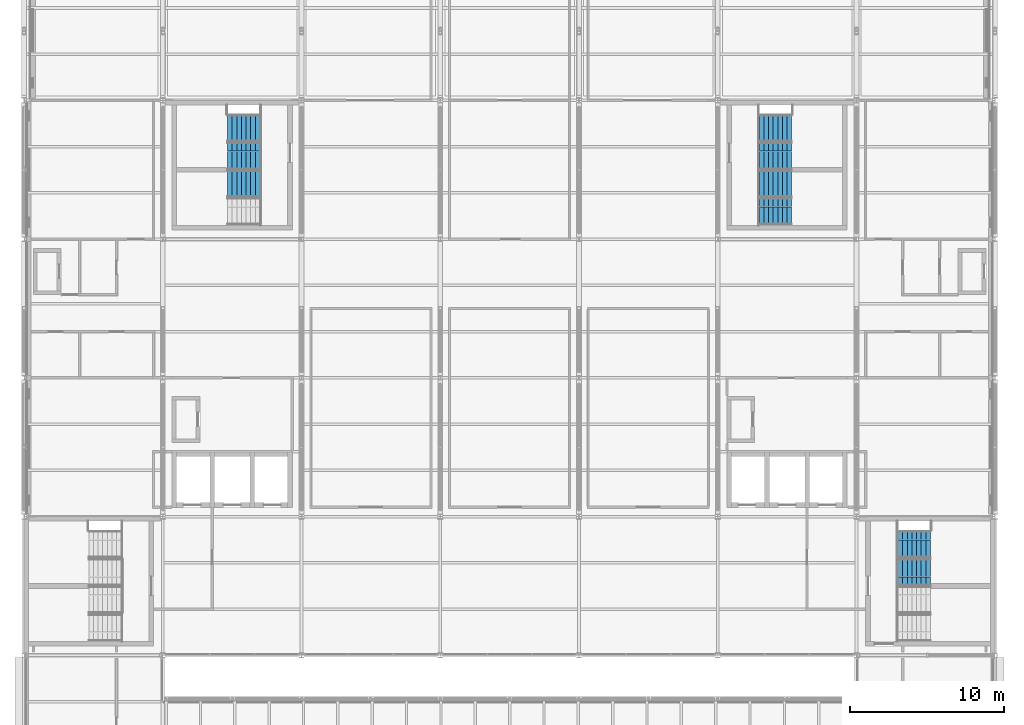
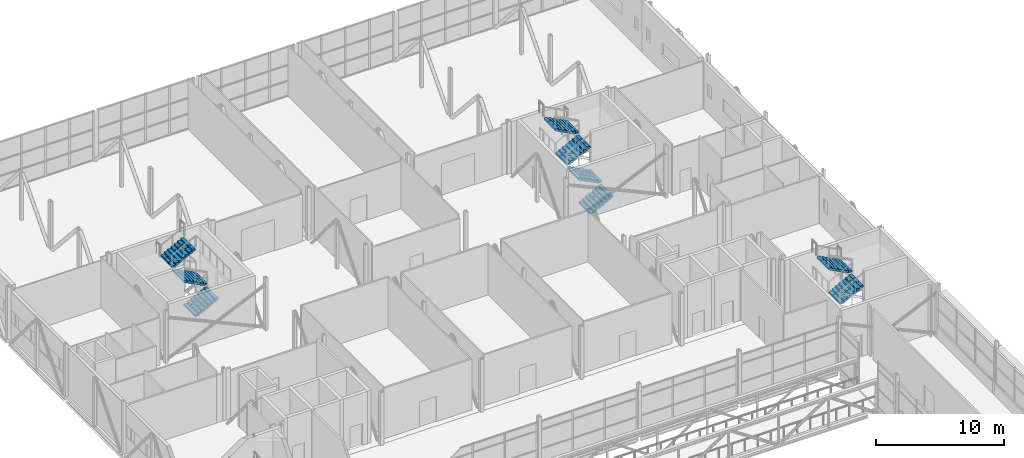
# One storey, part 84 of 94: 9 stair flights, 3 elements without a shape of their own.
"""IFC4 building model written with IfcOpenShell, lengths in metres."""

from ifc_helpers import new_model, si_unit, direction, frame, origin, place, context, subcontext, project, spatial, polyline, outline, extrude, material, type_object, element, aggregate, save


model = new_model("IFC4")

# Units and contexts
model_context = context("Model", 3, precision=1e-05, world=origin(), true_north=direction((0.0, 1.0)))
body_context = subcontext(model_context, "Body", "Model", "MODEL_VIEW")
ifc_project = project(units=[si_unit("LENGTHUNIT", "METRE"), si_unit("AREAUNIT", "SQUARE_METRE"), si_unit("VOLUMEUNIT", "CUBIC_METRE"), si_unit("PLANEANGLEUNIT", "RADIAN"), si_unit("MASSUNIT", "GRAM", prefix="KILO")], contexts=[model_context])

# Site, building, storey
site_placement = place(None, origin())
site = spatial("IfcSite", under=ifc_project, at=site_placement, CompositionType="ELEMENT")
building_placement = place(site_placement, origin())
building = spatial("IfcBuilding", under=site, at=building_placement, Name="Shorebreak Coast Museum", CompositionType="ELEMENT")
storey_placement = place(building_placement, frame((0.0, 0.0, 31.0)))
storey = spatial("IfcBuildingStorey", under=building, at=storey_placement, Name="L05", CompositionType="ELEMENT", Elevation=31.0)

# Stair, stair flights
ifc_material_1 = material(Name="Concrete N40 (40 MPa)", Category="concrete")
stair_type = type_object("IfcStairType", Name="Stair run 5 m", PredefinedType="DOUBLE_RETURN_STAIR", material=ifc_material_1)
stair_1_placement = place(storey_placement, origin())
stair_1 = element("IfcStair", 1, at=stair_1_placement, inside=storey, type_object=stair_type, Name="Exit stair ST04-L05", PredefinedType="DOUBLE_RETURN_STAIR")
ifc_material_2 = material(Name="Concrete N40 (40 MPa)", Category="concrete")
stair_flight_type = type_object("IfcStairFlightType", Name="Stair flight 8 risers 156.25", PredefinedType="STRAIGHT", material=ifc_material_2)
stair_flight_1_placement = place(storey_placement, frame((110.699951171875, 86.39990234375, 2.5), z_axis=(0.0, 0.0, 1.0), x_axis=(1.0, 0.0, 0.0)))
stair_flight_1 = element("IfcStairFlight", 2, at=stair_flight_1_placement, type_object=stair_flight_type, Name="ST04-L05 flight 3", NumberOfRisers=8, NumberOfTreads=7, PredefinedType="STRAIGHT", RiserHeight=0.15625, TreadLength=0.3, context=body_context, shape_type="SweptSolid", body=[
    extrude(outline(polyline([(0.0, 0.0), (0.0, 0.15625), (0.300048828125, 0.15625), (0.300048828125, 0.3125), (0.60009765625, 0.3125), (0.60009765625, 0.46875), (0.89990234375, 0.46875), (0.89990234375, 0.625), (1.199951171875, 0.625), (1.199951171875, 0.78125), (1.5, 0.78125), (1.5, 0.9375), (1.800048828125, 0.9375), (1.800048828125, 1.09375), (2.10009765625, 1.09375), (2.10009765625, 1.25), (2.10009765625, 0.9248046875), (0.324462890625, 0.0), (0.0, 0.0)])), frame((0.0, 0.89990234375, 0.0), z_axis=(0.0, -1.0, 0.0), x_axis=(1.0, 0.0, 0.0)), (0.0, 0.0, 1.0), 0.59326171875),
    extrude(outline(polyline([(0.0, 0.0), (0.0, 0.15625), (0.300048828125, 0.15625), (0.300048828125, 0.3125), (0.60009765625, 0.3125), (0.60009765625, 0.46875), (0.89990234375, 0.46875), (0.89990234375, 0.625), (1.199951171875, 0.625), (1.199951171875, 0.78125), (1.5, 0.78125), (1.5, 0.9375), (1.800048828125, 0.9375), (1.800048828125, 1.09375), (2.10009765625, 1.09375), (2.10009765625, 1.25), (2.10009765625, 0.9248046875), (0.324462890625, 0.0), (0.0, 0.0)])), frame((0.0, 0.296630859375, 0.0), z_axis=(0.0, -1.0, 0.0), x_axis=(1.0, 0.0, 0.0)), (0.0, 0.0, 1.0), 0.59326171875),
    extrude(outline(polyline([(0.0, 0.0), (0.0, 0.15625), (0.300048828125, 0.15625), (0.300048828125, 0.3125), (0.60009765625, 0.3125), (0.60009765625, 0.46875), (0.89990234375, 0.46875), (0.89990234375, 0.625), (1.199951171875, 0.625), (1.199951171875, 0.78125), (1.5, 0.78125), (1.5, 0.9375), (1.800048828125, 0.9375), (1.800048828125, 1.09375), (2.10009765625, 1.09375), (2.10009765625, 1.25), (2.10009765625, 0.9248046875), (0.324462890625, 0.0), (0.0, 0.0)])), frame((0.0, -0.306640625, 0.0), z_axis=(0.0, -1.0, 0.0), x_axis=(1.0, 0.0, 0.0)), (0.0, 0.0, 1.0), 0.59326171875),
])
stair_flight_2_placement = place(storey_placement, frame((112.800048828125, 88.199951171875, 3.75), z_axis=(0.0, 0.0, 1.0), x_axis=(-1.0, 0.0, 0.0)))
stair_flight_2 = element("IfcStairFlight", 3, at=stair_flight_2_placement, type_object=stair_flight_type, Name="ST04-L05 flight 4", NumberOfRisers=8, NumberOfTreads=7, PredefinedType="STRAIGHT", RiserHeight=0.15625, TreadLength=0.3, context=body_context, shape_type="SweptSolid", body=[
    extrude(outline(polyline([(0.0, 0.0), (0.0, 0.15625), (0.300048828125, 0.15625), (0.300048828125, 0.3125), (0.60009765625, 0.3125), (0.60009765625, 0.46875), (0.89990234375, 0.46875), (0.89990234375, 0.625), (1.199951171875, 0.625), (1.199951171875, 0.78125), (1.5, 0.78125), (1.5, 0.9375), (1.800048828125, 0.9375), (1.800048828125, 1.09375), (2.10009765625, 1.09375), (2.10009765625, 1.25), (2.10009765625, 0.9248046875), (0.324462890625, 0.0), (0.0, 0.0)])), frame((0.0, 0.89990234375, 0.0), z_axis=(0.0, -1.0, 0.0), x_axis=(1.0, 0.0, 0.0)), (0.0, 0.0, 1.0), 0.59326171875),
    extrude(outline(polyline([(0.0, 0.0), (0.0, 0.15625), (0.300048828125, 0.15625), (0.300048828125, 0.3125), (0.60009765625, 0.3125), (0.60009765625, 0.46875), (0.89990234375, 0.46875), (0.89990234375, 0.625), (1.199951171875, 0.625), (1.199951171875, 0.78125), (1.5, 0.78125), (1.5, 0.9375), (1.800048828125, 0.9375), (1.800048828125, 1.09375), (2.10009765625, 1.09375), (2.10009765625, 1.25), (2.10009765625, 0.9248046875), (0.324462890625, 0.0), (0.0, 0.0)])), frame((0.0, 0.296630859375, 0.0), z_axis=(0.0, -1.0, 0.0), x_axis=(1.0, 0.0, 0.0)), (0.0, 0.0, 1.0), 0.59326171875),
    extrude(outline(polyline([(0.0, 0.0), (0.0, 0.15625), (0.300048828125, 0.15625), (0.300048828125, 0.3125), (0.60009765625, 0.3125), (0.60009765625, 0.46875), (0.89990234375, 0.46875), (0.89990234375, 0.625), (1.199951171875, 0.625), (1.199951171875, 0.78125), (1.5, 0.78125), (1.5, 0.9375), (1.800048828125, 0.9375), (1.800048828125, 1.09375), (2.10009765625, 1.09375), (2.10009765625, 1.25), (2.10009765625, 0.9248046875), (0.324462890625, 0.0), (0.0, 0.0)])), frame((0.0, -0.306640625, 0.0), z_axis=(0.0, -1.0, 0.0), x_axis=(1.0, 0.0, 0.0)), (0.0, 0.0, 1.0), 0.59326171875),
])
aggregate(stair_1, [stair_flight_1, stair_flight_2])

stair_2_placement = place(storey_placement, origin())
stair_2 = element("IfcStair", 4, at=stair_2_placement, inside=storey, type_object=stair_type, Name="Exit stair ST09-L05", PredefinedType="DOUBLE_RETURN_STAIR")
stair_flight_3_placement = place(storey_placement, frame((67.199951171875, 111.60009765625, 1.25), z_axis=(0.0, 0.0, 1.0), x_axis=(1.0, 0.0, 0.0)))
stair_flight_3 = element("IfcStairFlight", 5, at=stair_flight_3_placement, type_object=stair_flight_type, Name="ST09-L05 flight 2", NumberOfRisers=8, NumberOfTreads=7, PredefinedType="STRAIGHT", RiserHeight=0.15625, TreadLength=0.3, context=body_context, shape_type="SweptSolid", body=[
    extrude(outline(polyline([(0.0, 0.0), (0.0, 0.15625), (0.300048828125, 0.15625), (0.300048828125, 0.3125), (0.60009765625, 0.3125), (0.60009765625, 0.46875), (0.89990234375, 0.46875), (0.89990234375, 0.625), (1.199951171875, 0.625), (1.199951171875, 0.78125), (1.5, 0.78125), (1.5, 0.9375), (1.800048828125, 0.9375), (1.800048828125, 1.09375), (2.10009765625, 1.09375), (2.10009765625, 1.25), (2.10009765625, 0.9248046875), (0.324462890625, 0.0), (0.0, 0.0)])), frame((0.0, 0.89990234375, 0.0), z_axis=(0.0, -1.0, 0.0), x_axis=(1.0, 0.0, 0.0)), (0.0, 0.0, 1.0), 0.59326171875),
    extrude(outline(polyline([(0.0, 0.0), (0.0, 0.15625), (0.300048828125, 0.15625), (0.300048828125, 0.3125), (0.60009765625, 0.3125), (0.60009765625, 0.46875), (0.89990234375, 0.46875), (0.89990234375, 0.625), (1.199951171875, 0.625), (1.199951171875, 0.78125), (1.5, 0.78125), (1.5, 0.9375), (1.800048828125, 0.9375), (1.800048828125, 1.09375), (2.10009765625, 1.09375), (2.10009765625, 1.25), (2.10009765625, 0.9248046875), (0.324462890625, 0.0), (0.0, 0.0)])), frame((0.0, 0.296630859375, 0.0), z_axis=(0.0, -1.0, 0.0), x_axis=(1.0, 0.0, 0.0)), (0.0, 0.0, 1.0), 0.59326171875),
    extrude(outline(polyline([(0.0, 0.0), (0.0, 0.15625), (0.300048828125, 0.15625), (0.300048828125, 0.3125), (0.60009765625, 0.3125), (0.60009765625, 0.46875), (0.89990234375, 0.46875), (0.89990234375, 0.625), (1.199951171875, 0.625), (1.199951171875, 0.78125), (1.5, 0.78125), (1.5, 0.9375), (1.800048828125, 0.9375), (1.800048828125, 1.09375), (2.10009765625, 1.09375), (2.10009765625, 1.25), (2.10009765625, 0.9248046875), (0.324462890625, 0.0), (0.0, 0.0)])), frame((0.0, -0.306640625, 0.0), z_axis=(0.0, -1.0, 0.0), x_axis=(1.0, 0.0, 0.0)), (0.0, 0.0, 1.0), 0.59326171875),
])
stair_flight_4_placement = place(storey_placement, frame((69.300048828125, 113.39990234375, 2.5), z_axis=(0.0, 0.0, 1.0), x_axis=(-1.0, 0.0, 0.0)))
stair_flight_4 = element("IfcStairFlight", 6, at=stair_flight_4_placement, type_object=stair_flight_type, Name="ST09-L05 flight 3", NumberOfRisers=8, NumberOfTreads=7, PredefinedType="STRAIGHT", RiserHeight=0.15625, TreadLength=0.3, context=body_context, shape_type="SweptSolid", body=[
    extrude(outline(polyline([(0.0, 0.0), (0.0, 0.15625), (0.300048828125, 0.15625), (0.300048828125, 0.3125), (0.60009765625, 0.3125), (0.60009765625, 0.46875), (0.89990234375, 0.46875), (0.89990234375, 0.625), (1.199951171875, 0.625), (1.199951171875, 0.78125), (1.5, 0.78125), (1.5, 0.9375), (1.800048828125, 0.9375), (1.800048828125, 1.09375), (2.10009765625, 1.09375), (2.10009765625, 1.25), (2.10009765625, 0.9248046875), (0.324462890625, 0.0), (0.0, 0.0)])), frame((0.0, 0.89990234375, 0.0), z_axis=(0.0, -1.0, 0.0), x_axis=(1.0, 0.0, 0.0)), (0.0, 0.0, 1.0), 0.59326171875),
    extrude(outline(polyline([(0.0, 0.0), (0.0, 0.15625), (0.300048828125, 0.15625), (0.300048828125, 0.3125), (0.60009765625, 0.3125), (0.60009765625, 0.46875), (0.89990234375, 0.46875), (0.89990234375, 0.625), (1.199951171875, 0.625), (1.199951171875, 0.78125), (1.5, 0.78125), (1.5, 0.9375), (1.800048828125, 0.9375), (1.800048828125, 1.09375), (2.10009765625, 1.09375), (2.10009765625, 1.25), (2.10009765625, 0.9248046875), (0.324462890625, 0.0), (0.0, 0.0)])), frame((0.0, 0.296630859375, 0.0), z_axis=(0.0, -1.0, 0.0), x_axis=(1.0, 0.0, 0.0)), (0.0, 0.0, 1.0), 0.59326171875),
    extrude(outline(polyline([(0.0, 0.0), (0.0, 0.15625), (0.300048828125, 0.15625), (0.300048828125, 0.3125), (0.60009765625, 0.3125), (0.60009765625, 0.46875), (0.89990234375, 0.46875), (0.89990234375, 0.625), (1.199951171875, 0.625), (1.199951171875, 0.78125), (1.5, 0.78125), (1.5, 0.9375), (1.800048828125, 0.9375), (1.800048828125, 1.09375), (2.10009765625, 1.09375), (2.10009765625, 1.25), (2.10009765625, 0.9248046875), (0.324462890625, 0.0), (0.0, 0.0)])), frame((0.0, -0.306640625, 0.0), z_axis=(0.0, -1.0, 0.0), x_axis=(1.0, 0.0, 0.0)), (0.0, 0.0, 1.0), 0.59326171875),
])
stair_flight_5_placement = place(storey_placement, frame((67.199951171875, 115.199951171875, 3.75), z_axis=(0.0, 0.0, 1.0), x_axis=(1.0, 0.0, 0.0)))
stair_flight_5 = element("IfcStairFlight", 7, at=stair_flight_5_placement, type_object=stair_flight_type, Name="ST09-L05 flight 4", NumberOfRisers=8, NumberOfTreads=7, PredefinedType="STRAIGHT", RiserHeight=0.15625, TreadLength=0.3, context=body_context, shape_type="SweptSolid", body=[
    extrude(outline(polyline([(0.0, 0.0), (0.0, 0.15625), (0.300048828125, 0.15625), (0.300048828125, 0.3125), (0.60009765625, 0.3125), (0.60009765625, 0.46875), (0.89990234375, 0.46875), (0.89990234375, 0.625), (1.199951171875, 0.625), (1.199951171875, 0.78125), (1.5, 0.78125), (1.5, 0.9375), (1.800048828125, 0.9375), (1.800048828125, 1.09375), (2.10009765625, 1.09375), (2.10009765625, 1.25), (2.10009765625, 0.9248046875), (0.324462890625, 0.0), (0.0, 0.0)])), frame((0.0, 0.89990234375, 0.0), z_axis=(0.0, -1.0, 0.0), x_axis=(1.0, 0.0, 0.0)), (0.0, 0.0, 1.0), 0.59326171875),
    extrude(outline(polyline([(0.0, 0.0), (0.0, 0.15625), (0.300048828125, 0.15625), (0.300048828125, 0.3125), (0.60009765625, 0.3125), (0.60009765625, 0.46875), (0.89990234375, 0.46875), (0.89990234375, 0.625), (1.199951171875, 0.625), (1.199951171875, 0.78125), (1.5, 0.78125), (1.5, 0.9375), (1.800048828125, 0.9375), (1.800048828125, 1.09375), (2.10009765625, 1.09375), (2.10009765625, 1.25), (2.10009765625, 0.9248046875), (0.324462890625, 0.0), (0.0, 0.0)])), frame((0.0, 0.296630859375, 0.0), z_axis=(0.0, -1.0, 0.0), x_axis=(1.0, 0.0, 0.0)), (0.0, 0.0, 1.0), 0.59326171875),
    extrude(outline(polyline([(0.0, 0.0), (0.0, 0.15625), (0.300048828125, 0.15625), (0.300048828125, 0.3125), (0.60009765625, 0.3125), (0.60009765625, 0.46875), (0.89990234375, 0.46875), (0.89990234375, 0.625), (1.199951171875, 0.625), (1.199951171875, 0.78125), (1.5, 0.78125), (1.5, 0.9375), (1.800048828125, 0.9375), (1.800048828125, 1.09375), (2.10009765625, 1.09375), (2.10009765625, 1.25), (2.10009765625, 0.9248046875), (0.324462890625, 0.0), (0.0, 0.0)])), frame((0.0, -0.306640625, 0.0), z_axis=(0.0, -1.0, 0.0), x_axis=(1.0, 0.0, 0.0)), (0.0, 0.0, 1.0), 0.59326171875),
])
aggregate(stair_2, [stair_flight_3, stair_flight_4, stair_flight_5])

stair_3_placement = place(storey_placement, origin())
stair_3 = element("IfcStair", 8, at=stair_3_placement, inside=storey, type_object=stair_type, Name="Exit stair ST10-L05", PredefinedType="DOUBLE_RETURN_STAIR")
stair_flight_6_placement = place(storey_placement, frame((101.699951171875, 109.800048828125, 0.0), z_axis=(0.0, 0.0, 1.0), x_axis=(1.0, 0.0, 0.0)))
stair_flight_6 = element("IfcStairFlight", 9, at=stair_flight_6_placement, type_object=stair_flight_type, Name="ST10-L05 flight 1", NumberOfRisers=8, NumberOfTreads=7, PredefinedType="STRAIGHT", RiserHeight=0.15625, TreadLength=0.3, context=body_context, shape_type="SweptSolid", body=[
    extrude(outline(polyline([(0.0, 0.0), (0.0, 0.15625), (0.300048828125, 0.15625), (0.300048828125, 0.3125), (0.60009765625, 0.3125), (0.60009765625, 0.46875), (0.89990234375, 0.46875), (0.89990234375, 0.625), (1.199951171875, 0.625), (1.199951171875, 0.78125), (1.5, 0.78125), (1.5, 0.9375), (1.800048828125, 0.9375), (1.800048828125, 1.09375), (2.10009765625, 1.09375), (2.10009765625, 1.25), (2.10009765625, 0.9248046875), (0.324462890625, 0.0), (0.0, 0.0)])), frame((0.0, 0.89990234375, 0.0), z_axis=(0.0, -1.0, 0.0), x_axis=(1.0, 0.0, 0.0)), (0.0, 0.0, 1.0), 0.59326171875),
    extrude(outline(polyline([(0.0, 0.0), (0.0, 0.15625), (0.300048828125, 0.15625), (0.300048828125, 0.3125), (0.60009765625, 0.3125), (0.60009765625, 0.46875), (0.89990234375, 0.46875), (0.89990234375, 0.625), (1.199951171875, 0.625), (1.199951171875, 0.78125), (1.5, 0.78125), (1.5, 0.9375), (1.800048828125, 0.9375), (1.800048828125, 1.09375), (2.10009765625, 1.09375), (2.10009765625, 1.25), (2.10009765625, 0.9248046875), (0.324462890625, 0.0), (0.0, 0.0)])), frame((0.0, 0.296630859375, 0.0), z_axis=(0.0, -1.0, 0.0), x_axis=(1.0, 0.0, 0.0)), (0.0, 0.0, 1.0), 0.59326171875),
    extrude(outline(polyline([(0.0, 0.0), (0.0, 0.15625), (0.300048828125, 0.15625), (0.300048828125, 0.3125), (0.60009765625, 0.3125), (0.60009765625, 0.46875), (0.89990234375, 0.46875), (0.89990234375, 0.625), (1.199951171875, 0.625), (1.199951171875, 0.78125), (1.5, 0.78125), (1.5, 0.9375), (1.800048828125, 0.9375), (1.800048828125, 1.09375), (2.10009765625, 1.09375), (2.10009765625, 1.25), (2.10009765625, 0.9248046875), (0.324462890625, 0.0), (0.0, 0.0)])), frame((0.0, -0.306640625, 0.0), z_axis=(0.0, -1.0, 0.0), x_axis=(1.0, 0.0, 0.0)), (0.0, 0.0, 1.0), 0.59326171875),
])
stair_flight_7_placement = place(storey_placement, frame((103.800048828125, 111.60009765625, 1.25), z_axis=(0.0, 0.0, 1.0), x_axis=(-1.0, 0.0, 0.0)))
stair_flight_7 = element("IfcStairFlight", 10, at=stair_flight_7_placement, type_object=stair_flight_type, Name="ST10-L05 flight 2", NumberOfRisers=8, NumberOfTreads=7, PredefinedType="STRAIGHT", RiserHeight=0.15625, TreadLength=0.3, context=body_context, shape_type="SweptSolid", body=[
    extrude(outline(polyline([(0.0, 0.0), (0.0, 0.15625), (0.300048828125, 0.15625), (0.300048828125, 0.3125), (0.60009765625, 0.3125), (0.60009765625, 0.46875), (0.89990234375, 0.46875), (0.89990234375, 0.625), (1.199951171875, 0.625), (1.199951171875, 0.78125), (1.5, 0.78125), (1.5, 0.9375), (1.800048828125, 0.9375), (1.800048828125, 1.09375), (2.10009765625, 1.09375), (2.10009765625, 1.25), (2.10009765625, 0.9248046875), (0.324462890625, 0.0), (0.0, 0.0)])), frame((0.0, 0.89990234375, 0.0), z_axis=(0.0, -1.0, 0.0), x_axis=(1.0, 0.0, 0.0)), (0.0, 0.0, 1.0), 0.59326171875),
    extrude(outline(polyline([(0.0, 0.0), (0.0, 0.15625), (0.300048828125, 0.15625), (0.300048828125, 0.3125), (0.60009765625, 0.3125), (0.60009765625, 0.46875), (0.89990234375, 0.46875), (0.89990234375, 0.625), (1.199951171875, 0.625), (1.199951171875, 0.78125), (1.5, 0.78125), (1.5, 0.9375), (1.800048828125, 0.9375), (1.800048828125, 1.09375), (2.10009765625, 1.09375), (2.10009765625, 1.25), (2.10009765625, 0.9248046875), (0.324462890625, 0.0), (0.0, 0.0)])), frame((0.0, 0.296630859375, 0.0), z_axis=(0.0, -1.0, 0.0), x_axis=(1.0, 0.0, 0.0)), (0.0, 0.0, 1.0), 0.59326171875),
    extrude(outline(polyline([(0.0, 0.0), (0.0, 0.15625), (0.300048828125, 0.15625), (0.300048828125, 0.3125), (0.60009765625, 0.3125), (0.60009765625, 0.46875), (0.89990234375, 0.46875), (0.89990234375, 0.625), (1.199951171875, 0.625), (1.199951171875, 0.78125), (1.5, 0.78125), (1.5, 0.9375), (1.800048828125, 0.9375), (1.800048828125, 1.09375), (2.10009765625, 1.09375), (2.10009765625, 1.25), (2.10009765625, 0.9248046875), (0.324462890625, 0.0), (0.0, 0.0)])), frame((0.0, -0.306640625, 0.0), z_axis=(0.0, -1.0, 0.0), x_axis=(1.0, 0.0, 0.0)), (0.0, 0.0, 1.0), 0.59326171875),
])
stair_flight_8_placement = place(storey_placement, frame((101.699951171875, 113.39990234375, 2.5), z_axis=(0.0, 0.0, 1.0), x_axis=(1.0, 0.0, 0.0)))
stair_flight_8 = element("IfcStairFlight", 11, at=stair_flight_8_placement, type_object=stair_flight_type, Name="ST10-L05 flight 3", NumberOfRisers=8, NumberOfTreads=7, PredefinedType="STRAIGHT", RiserHeight=0.15625, TreadLength=0.3, context=body_context, shape_type="SweptSolid", body=[
    extrude(outline(polyline([(0.0, 0.0), (0.0, 0.15625), (0.300048828125, 0.15625), (0.300048828125, 0.3125), (0.60009765625, 0.3125), (0.60009765625, 0.46875), (0.89990234375, 0.46875), (0.89990234375, 0.625), (1.199951171875, 0.625), (1.199951171875, 0.78125), (1.5, 0.78125), (1.5, 0.9375), (1.800048828125, 0.9375), (1.800048828125, 1.09375), (2.10009765625, 1.09375), (2.10009765625, 1.25), (2.10009765625, 0.9248046875), (0.324462890625, 0.0), (0.0, 0.0)])), frame((0.0, 0.89990234375, 0.0), z_axis=(0.0, -1.0, 0.0), x_axis=(1.0, 0.0, 0.0)), (0.0, 0.0, 1.0), 0.59326171875),
    extrude(outline(polyline([(0.0, 0.0), (0.0, 0.15625), (0.300048828125, 0.15625), (0.300048828125, 0.3125), (0.60009765625, 0.3125), (0.60009765625, 0.46875), (0.89990234375, 0.46875), (0.89990234375, 0.625), (1.199951171875, 0.625), (1.199951171875, 0.78125), (1.5, 0.78125), (1.5, 0.9375), (1.800048828125, 0.9375), (1.800048828125, 1.09375), (2.10009765625, 1.09375), (2.10009765625, 1.25), (2.10009765625, 0.9248046875), (0.324462890625, 0.0), (0.0, 0.0)])), frame((0.0, 0.296630859375, 0.0), z_axis=(0.0, -1.0, 0.0), x_axis=(1.0, 0.0, 0.0)), (0.0, 0.0, 1.0), 0.59326171875),
    extrude(outline(polyline([(0.0, 0.0), (0.0, 0.15625), (0.300048828125, 0.15625), (0.300048828125, 0.3125), (0.60009765625, 0.3125), (0.60009765625, 0.46875), (0.89990234375, 0.46875), (0.89990234375, 0.625), (1.199951171875, 0.625), (1.199951171875, 0.78125), (1.5, 0.78125), (1.5, 0.9375), (1.800048828125, 0.9375), (1.800048828125, 1.09375), (2.10009765625, 1.09375), (2.10009765625, 1.25), (2.10009765625, 0.9248046875), (0.324462890625, 0.0), (0.0, 0.0)])), frame((0.0, -0.306640625, 0.0), z_axis=(0.0, -1.0, 0.0), x_axis=(1.0, 0.0, 0.0)), (0.0, 0.0, 1.0), 0.59326171875),
])
stair_flight_9_placement = place(storey_placement, frame((103.800048828125, 115.199951171875, 3.75), z_axis=(0.0, 0.0, 1.0), x_axis=(-1.0, 0.0, 0.0)))
stair_flight_9 = element("IfcStairFlight", 12, at=stair_flight_9_placement, type_object=stair_flight_type, Name="ST10-L05 flight 4", NumberOfRisers=8, NumberOfTreads=7, PredefinedType="STRAIGHT", RiserHeight=0.15625, TreadLength=0.3, context=body_context, shape_type="SweptSolid", body=[
    extrude(outline(polyline([(0.0, 0.0), (0.0, 0.15625), (0.300048828125, 0.15625), (0.300048828125, 0.3125), (0.60009765625, 0.3125), (0.60009765625, 0.46875), (0.89990234375, 0.46875), (0.89990234375, 0.625), (1.199951171875, 0.625), (1.199951171875, 0.78125), (1.5, 0.78125), (1.5, 0.9375), (1.800048828125, 0.9375), (1.800048828125, 1.09375), (2.10009765625, 1.09375), (2.10009765625, 1.25), (2.10009765625, 0.9248046875), (0.324462890625, 0.0), (0.0, 0.0)])), frame((0.0, 0.89990234375, 0.0), z_axis=(0.0, -1.0, 0.0), x_axis=(1.0, 0.0, 0.0)), (0.0, 0.0, 1.0), 0.59326171875),
    extrude(outline(polyline([(0.0, 0.0), (0.0, 0.15625), (0.300048828125, 0.15625), (0.300048828125, 0.3125), (0.60009765625, 0.3125), (0.60009765625, 0.46875), (0.89990234375, 0.46875), (0.89990234375, 0.625), (1.199951171875, 0.625), (1.199951171875, 0.78125), (1.5, 0.78125), (1.5, 0.9375), (1.800048828125, 0.9375), (1.800048828125, 1.09375), (2.10009765625, 1.09375), (2.10009765625, 1.25), (2.10009765625, 0.9248046875), (0.324462890625, 0.0), (0.0, 0.0)])), frame((0.0, 0.296630859375, 0.0), z_axis=(0.0, -1.0, 0.0), x_axis=(1.0, 0.0, 0.0)), (0.0, 0.0, 1.0), 0.59326171875),
    extrude(outline(polyline([(0.0, 0.0), (0.0, 0.15625), (0.300048828125, 0.15625), (0.300048828125, 0.3125), (0.60009765625, 0.3125), (0.60009765625, 0.46875), (0.89990234375, 0.46875), (0.89990234375, 0.625), (1.199951171875, 0.625), (1.199951171875, 0.78125), (1.5, 0.78125), (1.5, 0.9375), (1.800048828125, 0.9375), (1.800048828125, 1.09375), (2.10009765625, 1.09375), (2.10009765625, 1.25), (2.10009765625, 0.9248046875), (0.324462890625, 0.0), (0.0, 0.0)])), frame((0.0, -0.306640625, 0.0), z_axis=(0.0, -1.0, 0.0), x_axis=(1.0, 0.0, 0.0)), (0.0, 0.0, 1.0), 0.59326171875),
])
aggregate(stair_3, [stair_flight_6, stair_flight_7, stair_flight_8, stair_flight_9])

save(model, "model.ifc")
